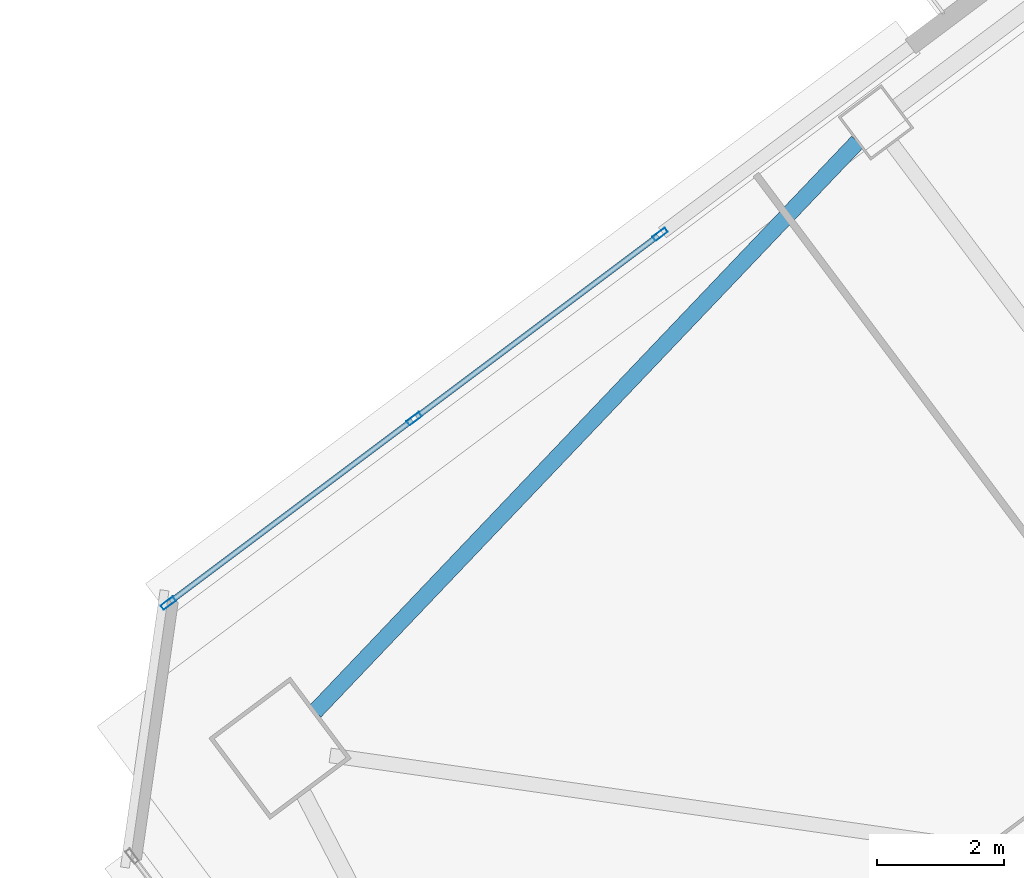
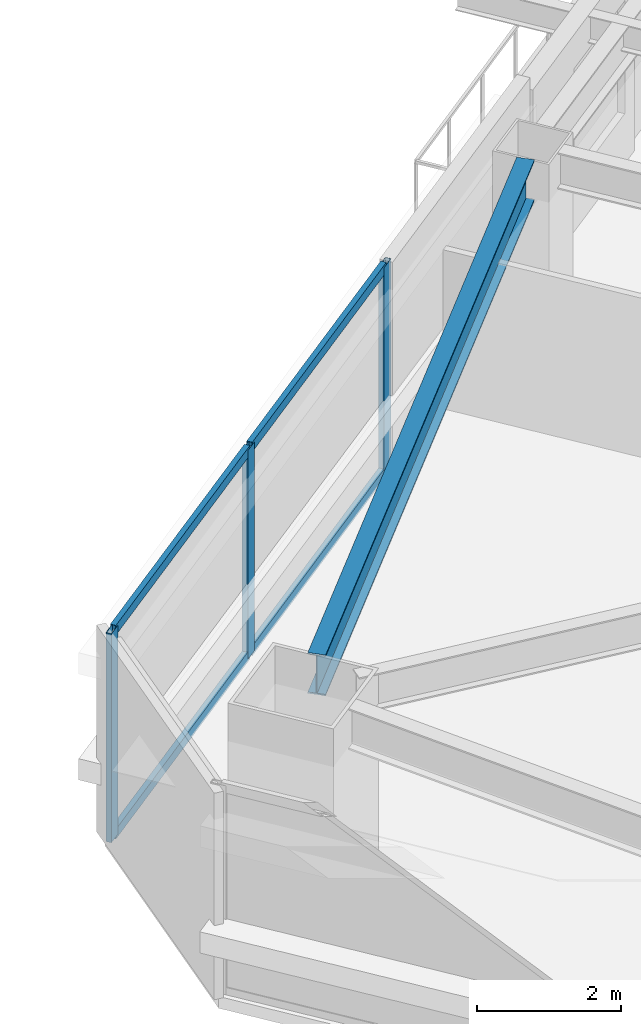
# One storey, part 25 of 45: 7 members, 1 beam, 1 element without a shape of its own.
"""IFC4 building model written with IfcOpenShell, lengths in metres."""

from ifc_helpers import new_model, si_unit, direction, frame, origin, origin_2d, place, context, subcontext, project, spatial, hollow_rectangle, i_section, extrude, material, material_profile, profile_set, type_object, element, aggregate, save


model = new_model("IFC4")

# Units and contexts
model_context = context("Model", 3, precision=1e-05, world=origin(), true_north=direction((0.0, 1.0)))
body_context = subcontext(model_context, "Body", "Model", "MODEL_VIEW")
ifc_project = project(units=[si_unit("LENGTHUNIT", "METRE"), si_unit("AREAUNIT", "SQUARE_METRE"), si_unit("VOLUMEUNIT", "CUBIC_METRE"), si_unit("PLANEANGLEUNIT", "RADIAN"), si_unit("MASSUNIT", "GRAM", prefix="KILO")], contexts=[model_context])

# Site, building, storey
site_placement = place(None, origin())
site = spatial("IfcSite", under=ifc_project, at=site_placement, CompositionType="ELEMENT")
building_placement = place(site_placement, origin())
building = spatial("IfcBuilding", under=site, at=building_placement, Name="Tashvorn Skyway Center", CompositionType="ELEMENT")
storey_placement = place(building_placement, frame((0.0, 0.0, 35.25)))
storey = spatial("IfcBuildingStorey", under=building, at=storey_placement, Name="L08", CompositionType="ELEMENT", Elevation=35.25)

# Beam
ifc_material_1 = material(Name="Steel ASTM A992 Grade 50", Category="steel")
ifc_material_profile_1 = material_profile(ifc_material_1, i_section(OverallWidth=0.256103515625, OverallDepth=0.693115234375, WebThickness=0.014404296875, FlangeThickness=0.023681640625, at=origin_2d()), Name="W27X114")
ifc_profile_set_1 = profile_set([ifc_material_profile_1], Name="Steel ASTM A992 Grade 50")
beam_type = type_object("IfcBeamType", Name="BM-SPANDREL-W27X114", PredefinedType="SPANDREL", material=ifc_profile_set_1)
beam_placement = place(storey_placement, frame((96.76025390625, 45.2958984375, 3.00341796875), z_axis=(-0.689589637236, -0.724200339835, 0.0), x_axis=(0.724200339835, -0.689589637236, 0.0)))
element("IfcBeam", 1, at=beam_placement, inside=storey, type_object=beam_type, Name="Tower 2 L08 Spandrel Beam 09", PredefinedType="SPANDREL", context=body_context, shape_type="SweptSolid", body=[
    extrude(i_section(OverallWidth=0.256103515625, OverallDepth=0.693115234375, WebThickness=0.014404296875, FlangeThickness=0.023681640625, at=origin_2d()), origin(), (0.0, 0.0, 1.0), 12.37255859375),
])

# Curtain wall, members
ifc_material_2 = material(Name="Thermally broken bronze-anodized aluminium 6063-T6", Category="aluminium")
curtain_wall_type = type_object("IfcCurtainWallType", Name="CW-CW-Z1", PredefinedType="NOTDEFINED", material=ifc_material_2)
curtain_wall_placement = place(storey_placement, origin())
curtain_wall = element("IfcCurtainWall", 2, at=curtain_wall_placement, inside=storey, type_object=curtain_wall_type, Name="Tower 2 L08 North Curtain Wall L Glazing Group 1", PredefinedType="NOTDEFINED")
ifc_material_profile_2 = material_profile(ifc_material_2, hollow_rectangle(XDim=0.0849609375, YDim=0.239990234375, WallThickness=0.0048828125, at=origin_2d()), Name="ALU-MULL-85x240")
ifc_profile_set_2 = profile_set([ifc_material_profile_2], Name="Thermally broken bronze-anodized aluminium 6063-T6")
member_type_1 = type_object("IfcMemberType", Name="CWM-CW-Z1", PredefinedType="MULLION", material=ifc_profile_set_2)
member_1_placement = place(storey_placement, frame((85.922119140625, 38.04150390625, 0.0), z_axis=(0.0, 0.0, 1.0), x_axis=(-0.599998359545, 0.800001230339, 0.0)))
member_1 = element("IfcMember", 3, at=member_1_placement, type_object=member_type_1, Name="CW-Z1 mullion 1", PredefinedType="MULLION", context=body_context, shape_type="SweptSolid", body=[
    extrude(hollow_rectangle(XDim=0.0849609375, YDim=0.239990234375, WallThickness=0.0048828125, at=origin_2d()), origin(), (0.0, 0.0, 1.0), 3.550048828125),
])
member_2_placement = place(storey_placement, frame((89.789306640625, 40.94189453125, 0.0), z_axis=(0.0, 0.0, 1.0), x_axis=(-0.599998359545, 0.800001230339, 0.0)))
member_2 = element("IfcMember", 4, at=member_2_placement, type_object=member_type_1, Name="CW-Z1 mullion 2", PredefinedType="MULLION", context=body_context, shape_type="SweptSolid", body=[
    extrude(hollow_rectangle(XDim=0.0849609375, YDim=0.239990234375, WallThickness=0.0048828125, at=origin_2d()), origin(), (0.0, 0.0, 1.0), 3.550048828125),
])
member_3_placement = place(storey_placement, frame((93.65673828125, 43.842529296875, 0.0), z_axis=(0.0, 0.0, 1.0), x_axis=(-0.599998359545, 0.800001230339, 0.0)))
member_3 = element("IfcMember", 5, at=member_3_placement, type_object=member_type_1, Name="CW-Z1 mullion 3", PredefinedType="MULLION", context=body_context, shape_type="SweptSolid", body=[
    extrude(hollow_rectangle(XDim=0.0849609375, YDim=0.239990234375, WallThickness=0.0048828125, at=origin_2d()), origin(), (0.0, 0.0, 1.0), 3.550048828125),
])
ifc_material_profile_3 = material_profile(ifc_material_2, hollow_rectangle(XDim=0.0849609375, YDim=0.1650390625, WallThickness=0.0048828125, at=origin_2d()), Name="ALU-TRAN-85x165")
ifc_profile_set_3 = profile_set([ifc_material_profile_3], Name="Thermally broken bronze-anodized aluminium 6063-T6")
member_type_2 = type_object("IfcMemberType", Name="CWT-CW-Z1", PredefinedType="USERDEFINED", material=ifc_profile_set_3)
member_4_placement = place(storey_placement, frame((85.9560546875, 38.06689453125, 0.04248046875), z_axis=(0.799987662275, 0.600016449947, 0.0), x_axis=(-0.600016449947, 0.799987662275, 0.0)))
member_4 = element("IfcMember", 6, at=member_4_placement, type_object=member_type_2, Name="CW-Z1 transom 1.1", ObjectType="TRANSOM", PredefinedType="USERDEFINED", context=body_context, shape_type="SweptSolid", body=[
    extrude(hollow_rectangle(XDim=0.0849609375, YDim=0.1650390625, WallThickness=0.0048828125, at=origin_2d()), origin(), (0.0, 0.0, 1.0), 4.749267578125),
])
member_5_placement = place(storey_placement, frame((85.9560546875, 38.06689453125, 3.507568359375), z_axis=(0.799987662275, 0.600016449947, 0.0), x_axis=(-0.600016449947, 0.799987662275, 0.0)))
member_5 = element("IfcMember", 7, at=member_5_placement, type_object=member_type_2, Name="CW-Z1 transom 1.2", ObjectType="TRANSOM", PredefinedType="USERDEFINED", context=body_context, shape_type="SweptSolid", body=[
    extrude(hollow_rectangle(XDim=0.0849609375, YDim=0.1650390625, WallThickness=0.0048828125, at=origin_2d()), origin(), (0.0, 0.0, 1.0), 4.749267578125),
])
member_6_placement = place(storey_placement, frame((89.8232421875, 40.967529296875, 0.04248046875), z_axis=(0.800030842515, 0.599958874445, 0.0), x_axis=(-0.599958874445, 0.800030842515, 0.0)))
member_6 = element("IfcMember", 8, at=member_6_placement, type_object=member_type_2, Name="CW-Z1 transom 2.1", ObjectType="TRANSOM", PredefinedType="USERDEFINED", context=body_context, shape_type="SweptSolid", body=[
    extrude(hollow_rectangle(XDim=0.0849609375, YDim=0.1650390625, WallThickness=0.0048828125, at=origin_2d()), origin(), (0.0, 0.0, 1.0), 4.749267578125),
])
member_7_placement = place(storey_placement, frame((89.8232421875, 40.967529296875, 3.507568359375), z_axis=(0.800030842515, 0.599958874445, 0.0), x_axis=(-0.599958874445, 0.800030842515, 0.0)))
member_7 = element("IfcMember", 9, at=member_7_placement, type_object=member_type_2, Name="CW-Z1 transom 2.2", ObjectType="TRANSOM", PredefinedType="USERDEFINED", context=body_context, shape_type="SweptSolid", body=[
    extrude(hollow_rectangle(XDim=0.0849609375, YDim=0.1650390625, WallThickness=0.0048828125, at=origin_2d()), origin(), (0.0, 0.0, 1.0), 4.749267578125),
])
aggregate(curtain_wall, [member_1, member_2, member_3, member_4, member_5, member_6, member_7])

save(model, "model.ifc")
